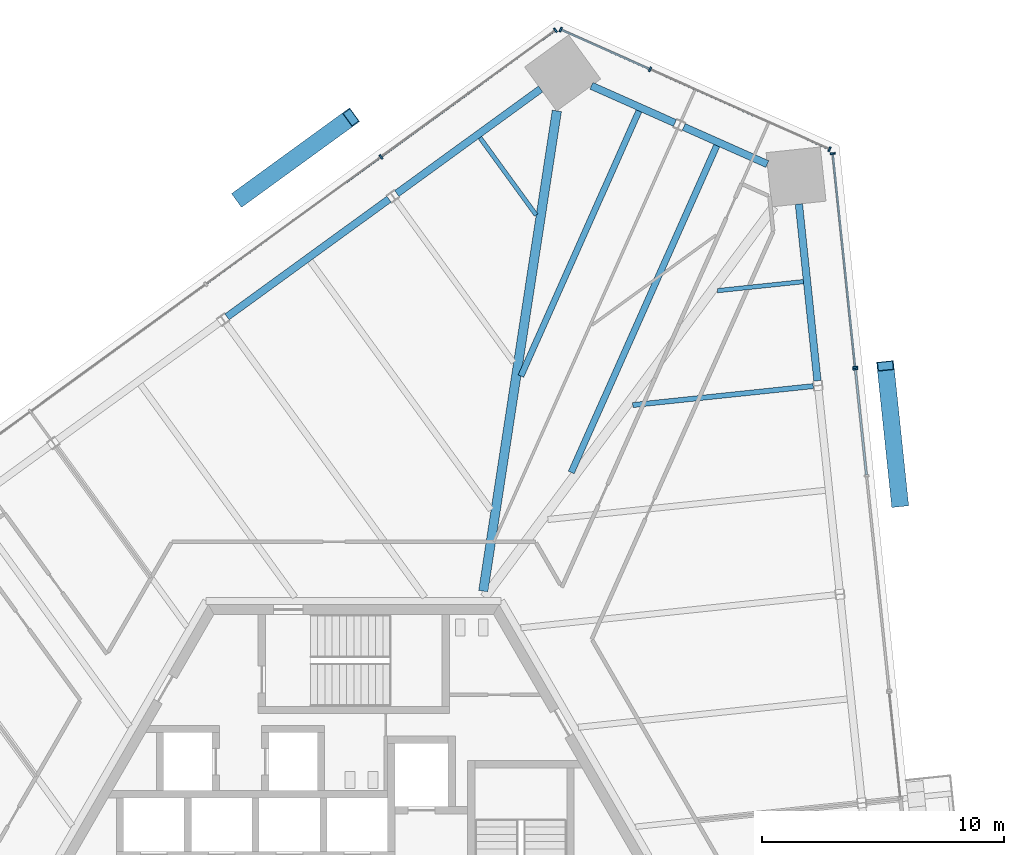
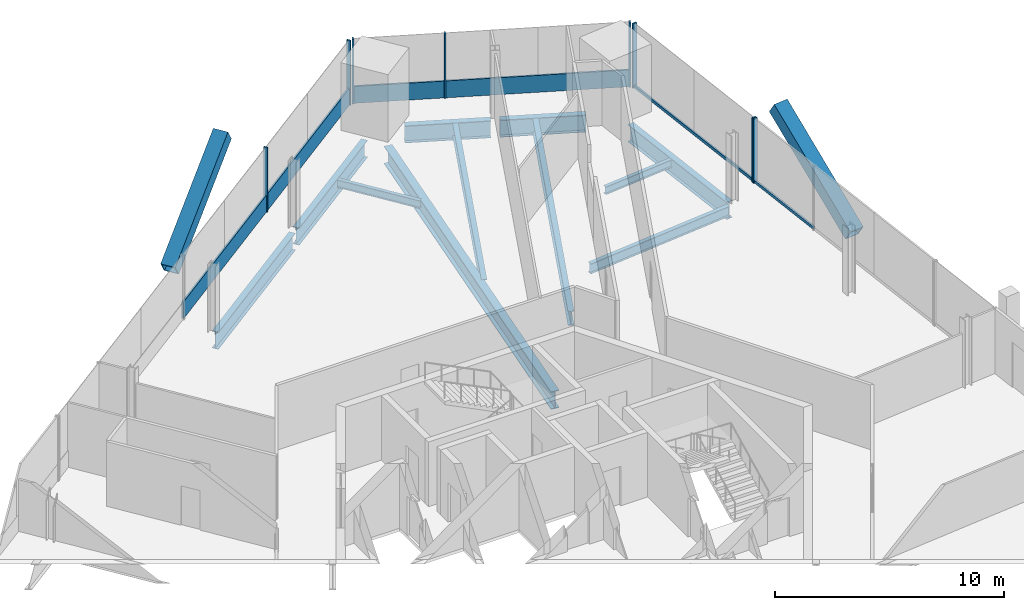
# One storey, part 8 of 18: 16 members, 11 beams, 4 elements without a shape of their own.
"""IFC4 building model written with IfcOpenShell, lengths in metres."""

from ifc_helpers import new_model, si_unit, direction, frame, origin, origin_2d, place, context, subcontext, project, spatial, rectangle, hollow_rectangle, i_section, extrude, source, transform, mapped, material, material_profile, profile_set, type_object, element, aggregate, save


model = new_model("IFC4")

# Units and contexts
model_context = context("Model", 3, precision=1e-05, world=origin(), true_north=direction((0.0, 1.0)))
body_context = subcontext(model_context, "Body", "Model", "MODEL_VIEW")
ifc_project = project(units=[si_unit("LENGTHUNIT", "METRE"), si_unit("AREAUNIT", "SQUARE_METRE"), si_unit("VOLUMEUNIT", "CUBIC_METRE"), si_unit("PLANEANGLEUNIT", "RADIAN"), si_unit("MASSUNIT", "GRAM", prefix="KILO")], contexts=[model_context])

# Site, building, storey
site_placement = place(None, origin())
site = spatial("IfcSite", under=ifc_project, at=site_placement, CompositionType="ELEMENT")
building_placement = place(site_placement, origin())
building = spatial("IfcBuilding", under=site, at=building_placement, Name="Triune Harvest Tower", CompositionType="ELEMENT")
storey_placement = place(building_placement, frame((0.0, 0.0, 83.699951171875)))
storey = spatial("IfcBuildingStorey", under=building, at=storey_placement, Name="L20", CompositionType="ELEMENT", Elevation=83.699951171875)

# Curtain wall, member
ifc_material_1 = material(Name="Aluminium bronze anodised", Category="aluminium")
curtain_wall_type_1 = type_object("IfcCurtainWallType", Name="CW-6 Balcony window wall", PredefinedType="NOTDEFINED", material=ifc_material_1)
curtain_wall_1_placement = place(storey_placement, origin())
curtain_wall_1 = element("IfcCurtainWall", 1, at=curtain_wall_1_placement, inside=storey, type_object=curtain_wall_type_1, Name="CW-6 B2-F1 L20 run 2002")
ifc_material_2 = material(Name="Aluminium bronze anodised", Category="aluminium")
ifc_material_profile_1 = material_profile(ifc_material_2, rectangle(XDim=0.090087890625, YDim=0.14990234375, at=origin_2d()), Name="TR-6 transom 90 x 150")
ifc_profile_set_1 = profile_set([ifc_material_profile_1], Name="Aluminium bronze anodised")
member_type_1 = type_object("IfcMemberType", Name="TR-6 transom 90 x 150", PredefinedType="USERDEFINED", material=ifc_profile_set_1)
member_1_placement = place(storey_placement, frame((20.6962890625, 20.2314453125, 0.074951171875), z_axis=(-0.104528659017, 0.994521874794, 0.0), x_axis=(-0.994521874794, -0.104528659017, 0.0)))
member_1 = element("IfcMember", 2, at=member_1_placement, type_object=member_type_1, Name="CW-6 transom B2-F1 2002.1", ObjectType="TRANSOM", PredefinedType="USERDEFINED", context=body_context, shape_type="SweptSolid", body=[
    extrude(rectangle(XDim=0.090087890625, YDim=0.14990234375, at=origin_2d()), origin(), (0.0, 0.0, 1.0), 8.791259765625),
])

# Beams
ifc_material_3 = material(Name="Steel ASTM A992 Gr 50", Category="steel")
ifc_material_profile_2 = material_profile(ifc_material_3, i_section(OverallWidth=0.3046875, OverallDepth=0.914306640625, WebThickness=0.0166015625, FlangeThickness=0.02587890625, at=origin_2d()), Name="W36x160")
ifc_profile_set_2 = profile_set([ifc_material_profile_2], Name="Steel ASTM A992 Gr 50")
beam_type_1 = type_object("IfcBeamType", Name="SB-1 Spandrel beam W36x160", PredefinedType="SPANDREL", material=ifc_profile_set_2)
shared_shape_1 = source(origin(), body_context, "Body", "SweptSolid", [
    extrude(i_section(OverallWidth=0.3046875, OverallDepth=0.914306640625, WebThickness=0.0166015625, FlangeThickness=0.02587890625, at=origin_2d()), origin(), (0.0, 0.0, 1.0), 7.337890625),
])
beam_1_placement = place(storey_placement, frame((7.7158203125, 31.677490234375, -0.6171875), z_axis=(-0.80902661548, -0.58777200975, 0.0), x_axis=(0.58777200975, -0.80902661548, 0.0)))
element("IfcBeam", 3, at=beam_1_placement, inside=storey, type_object=beam_type_1, Name="beam/L20/SB9", PredefinedType="SPANDREL", context=body_context, shape_type="MappedRepresentation", body=[
    mapped(shared_shape_1, transform((0.0, 0.0, 0.0), scale=1.0)),
])
shared_shape_2 = source(origin(), body_context, "Body", "SweptSolid", [
    extrude(i_section(OverallWidth=0.3046875, OverallDepth=0.914306640625, WebThickness=0.0166015625, FlangeThickness=0.02587890625, at=origin_2d()), origin(), (0.0, 0.0, 1.0), 8.263427734375),
])
beam_2_placement = place(storey_placement, frame((1.45654296875, 27.130126953125, -0.6171875), z_axis=(-0.809015786763, -0.587786914424, 0.0), x_axis=(0.587786914424, -0.809015786763, 0.0)))
element("IfcBeam", 4, at=beam_2_placement, inside=storey, type_object=beam_type_1, Name="beam/L20/SB10", PredefinedType="SPANDREL", context=body_context, shape_type="MappedRepresentation", body=[
    mapped(shared_shape_2, transform((0.0, 0.0, 0.0), scale=1.0)),
])
shared_shape_3 = source(origin(), body_context, "Body", "SweptSolid", [
    extrude(i_section(OverallWidth=0.3046875, OverallDepth=0.914306640625, WebThickness=0.0166015625, FlangeThickness=0.02587890625, at=origin_2d()), origin(), (0.0, 0.0, 1.0), 7.338134765625),
])
beam_3_placement = place(storey_placement, frame((19.145263671875, 19.632568359375, -0.6171875), z_axis=(-0.104502933908, 0.994524578281, 0.0), x_axis=(-0.994524578281, -0.104502933908, 0.0)))
element("IfcBeam", 5, at=beam_3_placement, inside=storey, type_object=beam_type_1, Name="beam/L20/SB6", PredefinedType="SPANDREL", context=body_context, shape_type="MappedRepresentation", body=[
    mapped(shared_shape_3, transform((0.0, 0.0, 0.0), scale=1.0)),
])
shared_shape_4 = source(origin(), body_context, "Body", "SweptSolid", [
    extrude(i_section(OverallWidth=0.3046875, OverallDepth=0.914306640625, WebThickness=0.0166015625, FlangeThickness=0.02587890625, at=origin_2d()), origin(), (0.0, 0.0, 1.0), 3.77490234375),
])
beam_4_placement = place(storey_placement, frame((17.073974609375, 28.577392578125, -0.6171875), z_axis=(-0.913541977346, 0.40674445986, 0.0), x_axis=(-0.40674445986, -0.913541977346, 0.0)))
element("IfcBeam", 6, at=beam_4_placement, inside=storey, type_object=beam_type_1, Name="beam/L20/SB7", PredefinedType="SPANDREL", context=body_context, shape_type="MappedRepresentation", body=[
    mapped(shared_shape_4, transform((0.0, 0.0, 0.0), scale=1.0)),
])
shared_shape_5 = source(origin(), body_context, "Body", "SweptSolid", [
    extrude(i_section(OverallWidth=0.3046875, OverallDepth=0.914306640625, WebThickness=0.0166015625, FlangeThickness=0.02587890625, at=origin_2d()), origin(), (0.0, 0.0, 1.0), 3.774658203125),
])
beam_5_placement = place(storey_placement, frame((13.260986328125, 30.275146484375, -0.6171875), z_axis=(-0.913566008399, 0.406690482182, 0.0), x_axis=(-0.406690482182, -0.913566008399, 0.0)))
element("IfcBeam", 7, at=beam_5_placement, inside=storey, type_object=beam_type_1, Name="beam/L20/SB8", PredefinedType="SPANDREL", context=body_context, shape_type="MappedRepresentation", body=[
    mapped(shared_shape_5, transform((0.0, 0.0, 0.0), scale=1.0)),
])
ifc_material_4 = material(Name="Steel ASTM A992 Gr 50", Category="steel")
ifc_material_profile_3 = material_profile(ifc_material_4, i_section(OverallWidth=0.383544921875, OverallDepth=0.9423828125, WebThickness=0.022216796875, FlangeThickness=0.039794921875, at=origin_2d()), Name="W36x232")
ifc_profile_set_3 = profile_set([ifc_material_profile_3], Name="Steel ASTM A992 Gr 50")
beam_type_2 = type_object("IfcBeamType", Name="HG-1 Hip girder W36x232", PredefinedType="BEAM", material=ifc_profile_set_3)
shared_shape_6 = source(origin(), body_context, "Body", "SweptSolid", [
    extrude(i_section(OverallWidth=0.383544921875, OverallDepth=0.9423828125, WebThickness=0.022216796875, FlangeThickness=0.039794921875, at=origin_2d()), origin(), (0.0, 0.0, 1.0), 20.0546875),
])
beam_6_placement = place(storey_placement, frame((8.38623046875, 30.774169921875, -0.631103515625), z_axis=(-0.151393010927, -0.988473649746, 0.0), x_axis=(0.988473649746, -0.151393010927, 0.0)))
element("IfcBeam", 8, at=beam_6_placement, inside=storey, type_object=beam_type_2, Name="beam/L20/HG4", PredefinedType="BEAM", context=body_context, shape_type="MappedRepresentation", body=[
    mapped(shared_shape_6, transform((0.0, 0.0, 0.0), scale=1.0)),
])
ifc_material_5 = material(Name="Steel ASTM A992 Gr 50", Category="steel")
ifc_material_profile_4 = material_profile(ifc_material_5, i_section(OverallWidth=0.180908203125, OverallDepth=0.41650390625, WebThickness=0.010986328125, FlangeThickness=0.01806640625, at=origin_2d()), Name="W16x57")
ifc_profile_set_4 = profile_set([ifc_material_profile_4], Name="Steel ASTM A992 Gr 50")
beam_type_3 = type_object("IfcBeamType", Name="JT-1 Floor joist W16x57", PredefinedType="JOIST", material=ifc_profile_set_4)
shared_shape_7 = source(origin(), body_context, "Body", "SweptSolid", [
    extrude(i_section(OverallWidth=0.180908203125, OverallDepth=0.41650390625, WebThickness=0.010986328125, FlangeThickness=0.01806640625, at=origin_2d()), origin(), (0.0, 0.0, 1.0), 3.95068359375),
])
beam_7_placement = place(storey_placement, frame((5.21142578125, 29.669677734375, -0.3681640625), z_axis=(0.587818894271, -0.808992550978, 0.0), x_axis=(0.808992550978, 0.587818894271, 0.0)))
element("IfcBeam", 9, at=beam_7_placement, inside=storey, type_object=beam_type_3, Name="beam/L20/JT14", PredefinedType="JOIST", context=body_context, shape_type="MappedRepresentation", body=[
    mapped(shared_shape_7, transform((0.0, 0.0, 0.0), scale=1.0)),
])
ifc_material_6 = material(Name="Steel ASTM A992 Gr 50", Category="steel")
ifc_material_profile_5 = material_profile(ifc_material_6, i_section(OverallWidth=0.2099609375, OverallDepth=0.535888671875, WebThickness=0.010986328125, FlangeThickness=0.017333984375, at=origin_2d()), Name="W21x68")
ifc_profile_set_5 = profile_set([ifc_material_profile_5], Name="Steel ASTM A992 Gr 50")
beam_type_4 = type_object("IfcBeamType", Name="JT-2 Floor joist W21x68", PredefinedType="JOIST", material=ifc_profile_set_5)
shared_shape_8 = source(origin(), body_context, "Body", "SweptSolid", [
    extrude(i_section(OverallWidth=0.2099609375, OverallDepth=0.535888671875, WebThickness=0.010986328125, FlangeThickness=0.017333984375, at=origin_2d()), origin(), (0.0, 0.0, 1.0), 7.491943359375),
])
beam_8_placement = place(storey_placement, frame((18.97021484375, 19.413818359375, -0.427978515625), z_axis=(-0.994520798259, -0.104538901039, 0.0), x_axis=(0.104538901039, -0.994520798259, 0.0)))
element("IfcBeam", 10, at=beam_8_placement, inside=storey, type_object=beam_type_4, Name="beam/L20/JT10", PredefinedType="JOIST", context=body_context, shape_type="MappedRepresentation", body=[
    mapped(shared_shape_8, transform((0.0, 0.0, 0.0), scale=1.0)),
])
shared_shape_9 = source(origin(), body_context, "Body", "SweptSolid", [
    extrude(i_section(OverallWidth=0.180908203125, OverallDepth=0.41650390625, WebThickness=0.010986328125, FlangeThickness=0.01806640625, at=origin_2d()), origin(), (0.0, 0.0, 1.0), 3.562255859375),
])
beam_9_placement = place(storey_placement, frame((18.56201171875, 23.725830078125, -0.3681640625), z_axis=(-0.994523089103, -0.104517105016, 0.0), x_axis=(0.104517105016, -0.994523089103, 0.0)))
element("IfcBeam", 11, at=beam_9_placement, inside=storey, type_object=beam_type_3, Name="beam/L20/JT11", PredefinedType="JOIST", context=body_context, shape_type="MappedRepresentation", body=[
    mapped(shared_shape_9, transform((0.0, 0.0, 0.0), scale=1.0)),
])
ifc_material_7 = material(Name="Steel ASTM A992 Gr 50", Category="steel")
ifc_material_profile_6 = material_profile(ifc_material_7, i_section(OverallWidth=0.2666015625, OverallDepth=0.7568359375, WebThickness=0.013916015625, FlangeThickness=0.019287109375, at=origin_2d()), Name="W30x108")
ifc_profile_set_6 = profile_set([ifc_material_profile_6], Name="Steel ASTM A992 Gr 50")
beam_type_5 = type_object("IfcBeamType", Name="JT-5 Floor joist W30x108", PredefinedType="JOIST", material=ifc_profile_set_6)
shared_shape_10 = source(origin(), body_context, "Body", "SweptSolid", [
    extrude(i_section(OverallWidth=0.2666015625, OverallDepth=0.7568359375, WebThickness=0.013916015625, FlangeThickness=0.019287109375, at=origin_2d()), origin(), (0.0, 0.0, 1.0), 14.766357421875),
])
beam_10_placement = place(storey_placement, frame((14.987060546875, 29.33984375, -0.538330078125), z_axis=(-0.406727456384, -0.913549547766, 0.0), x_axis=(0.913549547766, -0.406727456384, 0.0)))
element("IfcBeam", 12, at=beam_10_placement, inside=storey, type_object=beam_type_5, Name="beam/L20/JT12", PredefinedType="JOIST", context=body_context, shape_type="MappedRepresentation", body=[
    mapped(shared_shape_10, transform((0.0, 0.0, 0.0), scale=1.0)),
])
ifc_material_8 = material(Name="Steel ASTM A992 Gr 50", Category="steel")
ifc_material_profile_7 = material_profile(ifc_material_8, i_section(OverallWidth=0.253662109375, OverallDepth=0.683349609375, WebThickness=0.012451171875, FlangeThickness=0.01904296875, at=origin_2d()), Name="W27x94")
ifc_profile_set_7 = profile_set([ifc_material_profile_7], Name="Steel ASTM A992 Gr 50")
beam_type_6 = type_object("IfcBeamType", Name="JT-4 Floor joist W27x94", PredefinedType="JOIST", material=ifc_profile_set_7)
shared_shape_11 = source(origin(), body_context, "Body", "SweptSolid", [
    extrude(i_section(OverallWidth=0.253662109375, OverallDepth=0.683349609375, WebThickness=0.012451171875, FlangeThickness=0.01904296875, at=origin_2d()), origin(), (0.0, 0.0, 1.0), 11.977783203125),
])
beam_11_placement = place(storey_placement, frame((11.775390625, 30.769775390625, -0.50146484375), z_axis=(-0.406717086171, -0.913554164687, 0.0), x_axis=(0.913554164687, -0.406717086171, 0.0)))
element("IfcBeam", 13, at=beam_11_placement, inside=storey, type_object=beam_type_6, Name="beam/L20/JT13", PredefinedType="JOIST", context=body_context, shape_type="MappedRepresentation", body=[
    mapped(shared_shape_11, transform((0.0, 0.0, 0.0), scale=1.0)),
])

# Members
ifc_material_9 = material(Name="Steel ASTM A572 Gr 50", Category="steel")
ifc_material_profile_8 = material_profile(ifc_material_9, hollow_rectangle(XDim=0.699951171875, YDim=0.699951171875, WallThickness=0.0400390625, at=origin_2d()), Name="Box 700x700x40")
ifc_profile_set_8 = profile_set([ifc_material_profile_8], Name="Steel ASTM A572 Gr 50")
member_type_2 = type_object("IfcMemberType", Name="BR-1 Brace Box 700x700x40", PredefinedType="BRACE", material=ifc_profile_set_8)
shared_shape_12 = source(origin(), body_context, "Body", "SweptSolid", [
    extrude(hollow_rectangle(XDim=0.699951171875, YDim=0.699951171875, WallThickness=0.0400390625, at=origin_2d()), origin(), (0.0, 0.0, 1.0), 6.7021484375),
])
for number, where, z_axis, x_axis, name in (
    (14, (22.54248046875, 14.62548828125, 0.0), (-0.088152496894, 0.838869359908, 0.537147404629), (-0.994523894921, -0.104509437045, 0.0), "brace/B2-F1/d1/8"),
    (15, (-4.685302734375, 27.18603515625, 0.0), (0.682415254562, 0.495765539371, 0.537146116353), (-0.587755637763, 0.809038509762, 0.0), "brace/B2-F3/d2/8"),
):
    element("IfcMember", number, at=place(storey_placement, frame(where, z_axis=z_axis, x_axis=x_axis)), inside=storey, type_object=member_type_2, Name=name, PredefinedType="BRACE", context=body_context, shape_type="MappedRepresentation", body=[
        mapped(shared_shape_12, transform((0.0, 0.0, 0.0), scale=1.0)),
    ])

# Curtain wall, members
ifc_material_10 = material(Name="Aluminium bronze anodised", Category="aluminium")
curtain_wall_type_2 = type_object("IfcCurtainWallType", Name="CW-1 Tower stick curtain wall", PredefinedType="NOTDEFINED", material=ifc_material_10)
curtain_wall_2_placement = place(storey_placement, origin())
curtain_wall_2 = element("IfcCurtainWall", 16, at=curtain_wall_2_placement, inside=storey, type_object=curtain_wall_type_2, Name="CW-1 B2-F2 L20 run 1")
ifc_material_11 = material(Name="Aluminium bronze anodised", Category="aluminium")
ifc_material_profile_9 = material_profile(ifc_material_11, rectangle(XDim=0.199951171875, YDim=0.074951171875, at=origin_2d()), Name="MU-1 mullion 75 x 200")
ifc_profile_set_9 = profile_set([ifc_material_profile_9], Name="Aluminium bronze anodised")
member_type_3 = type_object("IfcMemberType", Name="MU-1 mullion 75 x 200", PredefinedType="MULLION", material=ifc_profile_set_9)
shared_shape_13 = source(origin(), body_context, "Body", "SweptSolid", [
    extrude(rectangle(XDim=0.199951171875, YDim=0.074951171875, at=origin_2d()), origin(), (0.0, 0.0, 1.0), 3.43994140625),
])
member_2_placement = place(storey_placement, frame((19.643798828125, 29.1904296875, 0.0), z_axis=(0.0, 0.0, 1.0), x_axis=(-0.406733978386, -0.913546644034, 0.0)))
member_2 = element("IfcMember", 17, at=member_2_placement, type_object=member_type_3, Name="CW-1 mullion B2-F2 1.1", PredefinedType="MULLION", context=body_context, shape_type="MappedRepresentation", body=[
    mapped(shared_shape_13, transform((0.0, 0.0, 0.0), scale=1.0)),
])
member_3_placement = place(storey_placement, frame((12.2353515625, 32.48876953125, 0.0), z_axis=(0.0, 0.0, 1.0), x_axis=(-0.406733978386, -0.913546644034, 0.0)))
member_3 = element("IfcMember", 18, at=member_3_placement, type_object=member_type_3, Name="CW-1 mullion B2-F2 1.3", PredefinedType="MULLION", context=body_context, shape_type="MappedRepresentation", body=[
    mapped(shared_shape_13, transform((0.0, 0.0, 0.0), scale=1.0)),
])
member_4_placement = place(storey_placement, frame((8.548583984375, 34.13037109375, 0.0), z_axis=(0.0, 0.0, 1.0), x_axis=(-0.406733978386, -0.913546644034, 0.0)))
member_4 = element("IfcMember", 19, at=member_4_placement, type_object=member_type_3, Name="CW-1 mullion B2-F2 1.4", PredefinedType="MULLION", context=body_context, shape_type="MappedRepresentation", body=[
    mapped(shared_shape_13, transform((0.0, 0.0, 0.0), scale=1.0)),
])

curtain_wall_3_placement = place(storey_placement, origin())
curtain_wall_3 = element("IfcCurtainWall", 20, at=curtain_wall_3_placement, inside=storey, type_object=curtain_wall_type_2, Name="CW-1 B2-F3 L20 run 1")
member_5_placement = place(storey_placement, frame((8.328857421875, 34.107177734375, 0.0), z_axis=(0.0, 0.0, 1.0), x_axis=(0.587783995498, -0.809017907488, 0.0)))
member_5 = element("IfcMember", 21, at=member_5_placement, type_object=member_type_3, Name="CW-1 mullion B2-F3 1.1", PredefinedType="MULLION", context=body_context, shape_type="MappedRepresentation", body=[
    mapped(shared_shape_13, transform((0.0, 0.0, 0.0), scale=1.0)),
])
member_6_placement = place(storey_placement, frame((1.125732421875, 28.873779296875, 0.0), z_axis=(0.0, 0.0, 1.0), x_axis=(0.587783995498, -0.809017907488, 0.0)))
member_6 = element("IfcMember", 22, at=member_6_placement, type_object=member_type_3, Name="CW-1 mullion B2-F3 1.3", PredefinedType="MULLION", context=body_context, shape_type="MappedRepresentation", body=[
    mapped(shared_shape_13, transform((0.0, 0.0, 0.0), scale=1.0)),
])

# Member
ifc_material_12 = material(Name="Aluminium bronze anodised", Category="aluminium")
ifc_material_profile_10 = material_profile(ifc_material_12, rectangle(XDim=0.090087890625, YDim=0.89990234375, at=origin_2d()), Name="TR-1 transom 90 x 900")
ifc_profile_set_10 = profile_set([ifc_material_profile_10], Name="Aluminium bronze anodised")
member_type_4 = type_object("IfcMemberType", Name="TR-1 transom 90 x 900", PredefinedType="USERDEFINED", material=ifc_profile_set_10)
shared_shape_14 = source(origin(), body_context, "Body", "SweptSolid", [
    extrude(rectangle(XDim=0.090087890625, YDim=0.89990234375, at=origin_2d()), origin(), (0.0, 0.0, 1.0), 8.0341796875),
])
member_7_placement = place(storey_placement, frame((19.609375, 29.205810546875, 0.449951171875), z_axis=(-0.913544441051, 0.40673892637, 0.0), x_axis=(-0.40673892637, -0.913544441051, 0.0)))
member_7 = element("IfcMember", 23, at=member_7_placement, type_object=member_type_4, Name="CW-1 transom B2-F2 1.1", ObjectType="TRANSOM", PredefinedType="USERDEFINED", context=body_context, shape_type="MappedRepresentation", body=[
    mapped(shared_shape_14, transform((0.0, 0.0, 0.0), scale=1.0)),
])

shared_shape_15 = source(origin(), body_context, "Body", "SweptSolid", [
    extrude(rectangle(XDim=0.090087890625, YDim=0.89990234375, at=origin_2d()), origin(), (0.0, 0.0, 1.0), 3.960693359375),
])
member_8_placement = place(storey_placement, frame((12.201171875, 32.504150390625, 0.449951171875), z_axis=(-0.913562276019, 0.406698866282, 0.0), x_axis=(-0.406698866282, -0.913562276019, 0.0)))
member_8 = element("IfcMember", 24, at=member_8_placement, type_object=member_type_4, Name="CW-1 transom B2-F2 1.2", ObjectType="TRANSOM", PredefinedType="USERDEFINED", context=body_context, shape_type="MappedRepresentation", body=[
    mapped(shared_shape_15, transform((0.0, 0.0, 0.0), scale=1.0)),
])

aggregate(curtain_wall_2, [member_2, member_3, member_4, member_7, member_8])

# Curtain wall, member
ifc_material_13 = material(Name="Aluminium bronze anodised", Category="aluminium")
curtain_wall_type_3 = type_object("IfcCurtainWallType", Name="CW-10 Balcony window wall with insulated spandrel infill", PredefinedType="NOTDEFINED", material=ifc_material_13)
curtain_wall_4_placement = place(storey_placement, origin())
curtain_wall_4 = element("IfcCurtainWall", 25, at=curtain_wall_4_placement, inside=storey, type_object=curtain_wall_type_3, Name="CW-10 B2-F1 L20 run 1002")
ifc_material_14 = material(Name="Aluminium bronze anodised", Category="aluminium")
ifc_material_profile_11 = material_profile(ifc_material_14, rectangle(XDim=0.199951171875, YDim=0.074951171875, at=origin_2d()), Name="MU-6 mullion 75 x 200")
ifc_profile_set_11 = profile_set([ifc_material_profile_11], Name="Aluminium bronze anodised")
member_type_5 = type_object("IfcMemberType", Name="MU-6 mullion 75 x 200", PredefinedType="MULLION", material=ifc_profile_set_11)
shared_shape_16 = source(origin(), body_context, "Body", "SweptSolid", [
    extrude(rectangle(XDim=0.199951171875, YDim=0.074951171875, at=origin_2d()), origin(), (0.0, 0.0, 1.0), 3.43994140625),
])
member_9_placement = place(storey_placement, frame((20.7080078125, 20.11962890625, 0.0), z_axis=(0.0, 0.0, 1.0), x_axis=(-0.994521986995, -0.104527591495, 0.0)))
member_9 = element("IfcMember", 26, at=member_9_placement, type_object=member_type_5, Name="CW-10 mullion B2-F1 1002.4", PredefinedType="MULLION", context=body_context, shape_type="MappedRepresentation", body=[
    mapped(shared_shape_16, transform((0.0, 0.0, 0.0), scale=1.0)),
])

# Member
member_10_placement = place(storey_placement, frame((20.7001953125, 20.194091796875, 0.0), z_axis=(0.0, 0.0, 1.0), x_axis=(-0.994522065412, -0.104526845393, 0.0)))
member_10 = element("IfcMember", 27, at=member_10_placement, type_object=member_type_5, Name="CW-6 mullion B2-F1 2002.1", PredefinedType="MULLION", context=body_context, shape_type="MappedRepresentation", body=[
    mapped(shared_shape_16, transform((0.0, 0.0, 0.0), scale=1.0)),
])

member_11_placement = place(storey_placement, frame((19.7734375, 29.01171875, 0.0), z_axis=(0.0, 0.0, 1.0), x_axis=(-0.994522065412, -0.104526845393, 0.0)))
member_11 = element("IfcMember", 28, at=member_11_placement, type_object=member_type_5, Name="CW-6 mullion B2-F1 2002.3", PredefinedType="MULLION", context=body_context, shape_type="MappedRepresentation", body=[
    mapped(shared_shape_16, transform((0.0, 0.0, 0.0), scale=1.0)),
])

aggregate(curtain_wall_1, [member_10, member_11, member_1])

shared_shape_17 = source(origin(), body_context, "Body", "SweptSolid", [
    extrude(rectangle(XDim=0.090087890625, YDim=0.89990234375, at=origin_2d()), origin(), (0.0, 0.0, 1.0), 8.82861328125),
])
member_12_placement = place(storey_placement, frame((8.298583984375, 34.085205078125, 0.449951171875), z_axis=(-0.809026570054, -0.587772072276, 0.0), x_axis=(0.587772072276, -0.809026570054, 0.0)))
member_12 = element("IfcMember", 29, at=member_12_placement, type_object=member_type_4, Name="CW-1 transom B2-F3 1.1", ObjectType="TRANSOM", PredefinedType="USERDEFINED", context=body_context, shape_type="MappedRepresentation", body=[
    mapped(shared_shape_17, transform((0.0, 0.0, 0.0), scale=1.0)),
])

shared_shape_18 = source(origin(), body_context, "Body", "SweptSolid", [
    extrude(rectangle(XDim=0.090087890625, YDim=0.89990234375, at=origin_2d()), origin(), (0.0, 0.0, 1.0), 8.8662109375),
])
member_13_placement = place(storey_placement, frame((1.09521484375, 28.851806640625, 0.449951171875), z_axis=(-0.809014630499, -0.587788505875, 0.0), x_axis=(0.587788505875, -0.809014630499, 0.0)))
member_13 = element("IfcMember", 30, at=member_13_placement, type_object=member_type_4, Name="CW-1 transom B2-F3 1.2", ObjectType="TRANSOM", PredefinedType="USERDEFINED", context=body_context, shape_type="MappedRepresentation", body=[
    mapped(shared_shape_18, transform((0.0, 0.0, 0.0), scale=1.0)),
])

aggregate(curtain_wall_3, [member_5, member_6, member_12, member_13])

shared_shape_19 = source(origin(), body_context, "Body", "SweptSolid", [
    extrude(rectangle(XDim=0.090087890625, YDim=0.14990234375, at=origin_2d()), origin(), (0.0, 0.0, 1.0), 4.358154296875),
])
member_14_placement = place(storey_placement, frame((21.16748046875, 15.748046875, 0.074951171875), z_axis=(-0.104477737601, 0.994527225543, 0.0), x_axis=(-0.994527225543, -0.104477737601, 0.0)))
member_14 = element("IfcMember", 31, at=member_14_placement, type_object=member_type_1, Name="CW-10 transom B2-F1 1002.2", ObjectType="TRANSOM", PredefinedType="USERDEFINED", context=body_context, shape_type="MappedRepresentation", body=[
    mapped(shared_shape_19, transform((0.0, 0.0, 0.0), scale=1.0)),
])

aggregate(curtain_wall_4, [member_9, member_14])

save(model, "model.ifc")
